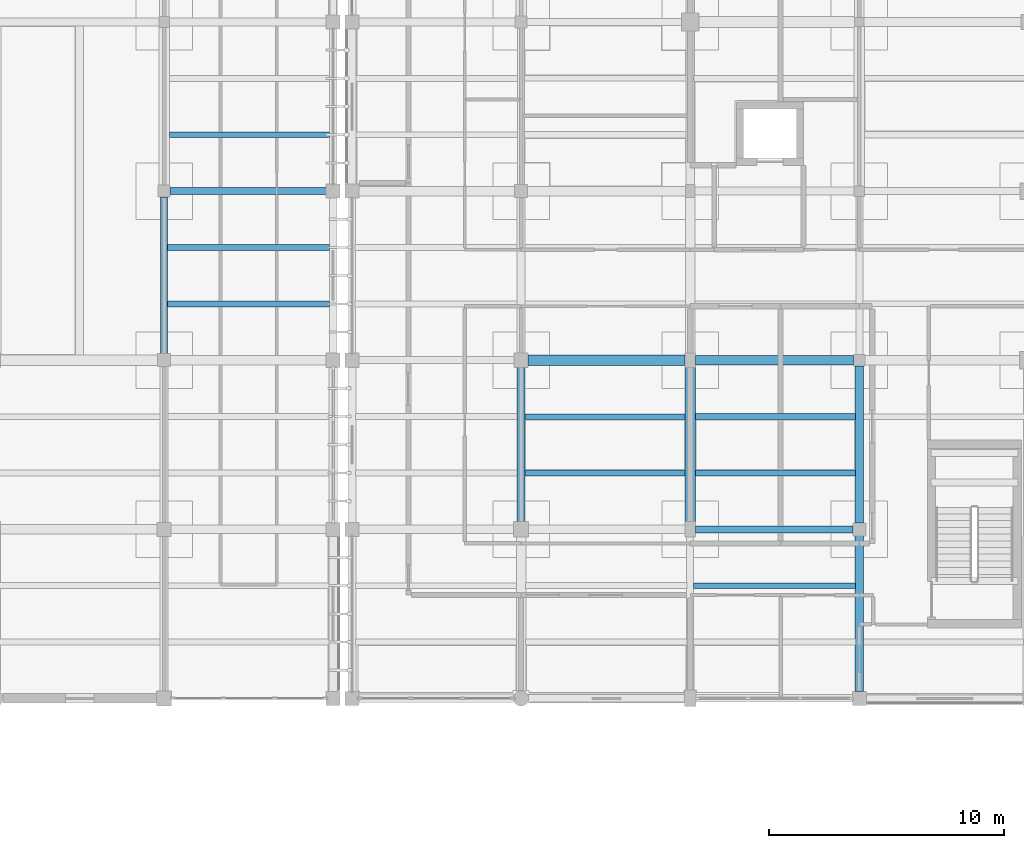
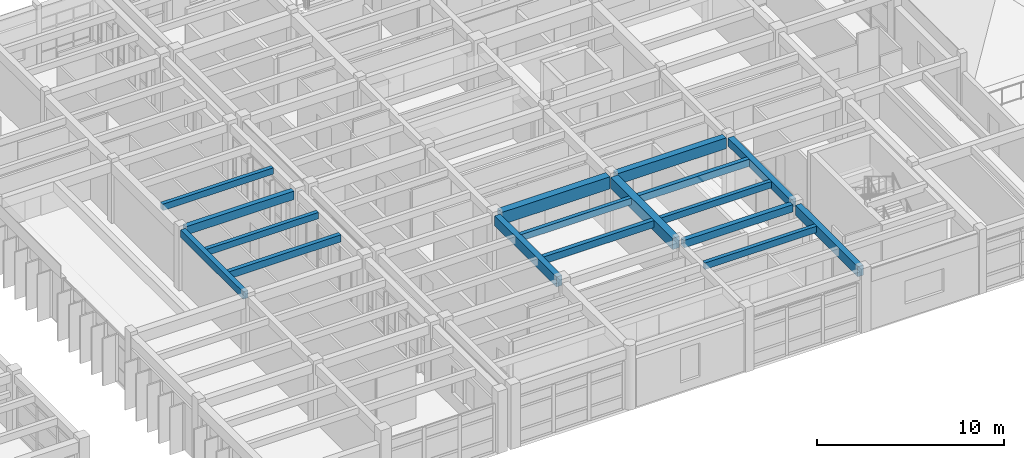
# One storey, part 31 of 100: 17 beams.
"""IFC4 building model written with IfcOpenShell, lengths in metres."""

import ifcopenshell
import ifcopenshell.guid

model = None  # the IFC model being written
_history = None  # IfcOwnerHistory: only IFC2X3 demands one
_inside = {}  # id of a spatial element -> (the spatial element, [elements in it])
_under = {}  # id of a project, library or spatial element -> (it, [spatial elements below it])
_declared = {}  # id of a project -> (the project, [libraries it declares])
_typed = {}  # id of a type object -> (the type object, [elements of that type])
_made_of = {}  # id of a material, layer set ... -> (it, [elements and type objects made of it])


def new_model(schema):
    """Start an empty IFC model of exactly this schema.

    Asked for "IFC4X3", IfcOpenShell would pick the latest addendum, in which some entities
    have other attributes; the version numbers below select the first issue.
    IFC2X3 requires an IfcOwnerHistory on every rooted entity: one is made here for all.
    """
    global model, _history
    if schema == "IFC4X3":
        model = ifcopenshell.file(schema_version=(4, 3, 0, 0))
    else:
        model = ifcopenshell.file(schema=schema)
    _inside.clear()
    _under.clear()
    _declared.clear()
    _typed.clear()
    _made_of.clear()
    _history = None
    if model.schema == "IFC2X3":
        org = make("IfcOrganization", Name="unknown")
        user = make(
            "IfcPersonAndOrganization",
            ThePerson=make("IfcPerson", FamilyName="unknown"),
            TheOrganization=org,
        )
        app = make(
            "IfcApplication",
            ApplicationDeveloper=org,
            Version="unknown",
            ApplicationFullName="unknown",
            ApplicationIdentifier="unknown",
        )
        _history = make(
            "IfcOwnerHistory",
            OwningUser=user,
            OwningApplication=app,
            ChangeAction="ADDED",
            CreationDate=0,
        )
    return model


def make(cls, **values):
    """One entity of the class cls with the attributes given. An attribute that is None is left unset."""
    return model.create_entity(
        cls, **{name: value for name, value in values.items() if value is not None}
    )


def rooted(cls, **values):
    """An entity with a GlobalId (a new one), such as an element, a storey or a relation."""
    return make(cls, GlobalId=ifcopenshell.guid.new(), OwnerHistory=_history, **values)


def si_unit(unit_type, name, prefix=None):
    """IfcSIUnit, for example si_unit("LENGTHUNIT", "METRE", prefix="MILLI")."""
    return make("IfcSIUnit", UnitType=unit_type, Prefix=prefix, Name=name)


def assignment(units):
    """IfcUnitAssignment: the units of a project."""
    return None if units is None else make("IfcUnitAssignment", Units=units)


def point(xyz):
    """IfcCartesianPoint."""
    return None if xyz is None else make("IfcCartesianPoint", Coordinates=xyz)


def direction(xyz):
    """IfcDirection."""
    return None if xyz is None else make("IfcDirection", DirectionRatios=xyz)


def frame(location, z_axis=None, x_axis=None):
    """IfcAxis2Placement3D, a coordinate frame: its origin and axes. An axis left out is left unset."""
    return make(
        "IfcAxis2Placement3D",
        Location=point(location),
        Axis=direction(z_axis),
        RefDirection=direction(x_axis),
    )


def frame_2d(location, x_axis=None):
    """IfcAxis2Placement2D, a coordinate frame in the plane: its origin and x axis."""
    return make(
        "IfcAxis2Placement2D", Location=point(location), RefDirection=direction(x_axis)
    )


def origin():
    """The frame at (0, 0, 0) with its axes left unset."""
    return frame((0.0, 0.0, 0.0))


def origin_2d():
    """The frame at (0, 0) in the plane with its x axis left unset."""
    return frame_2d((0.0, 0.0))


def place(relative_to, where):
    """IfcLocalPlacement: puts the frame where relative to a parent placement (None: the world)."""
    return make(
        "IfcLocalPlacement", PlacementRelTo=relative_to, RelativePlacement=where
    )


def context(
    kind, dimensions, precision=None, world=None, true_north=None, identifier=None
):
    """IfcGeometricRepresentationContext, for example the 3D "Model" context."""
    return make(
        "IfcGeometricRepresentationContext",
        ContextIdentifier=identifier,
        ContextType=kind,
        CoordinateSpaceDimension=dimensions,
        Precision=precision,
        WorldCoordinateSystem=world,
        TrueNorth=true_north,
    )


def subcontext(parent, identifier, kind, view, scale=None):
    """IfcGeometricRepresentationSubContext, for example "Body" below "Model"."""
    return make(
        "IfcGeometricRepresentationSubContext",
        ContextIdentifier=identifier,
        ContextType=kind,
        ParentContext=parent,
        TargetScale=scale,
        TargetView=view,
    )


def project(units=None, contexts=None):
    """IfcProject with its units and contexts."""
    return rooted(
        "IfcProject",
        Name="project",
        RepresentationContexts=contexts,
        UnitsInContext=assignment(units),
    )


def spatial(cls, under=None, at=None, **own):
    """A site, building, storey or space (cls), placed at a placement, below another one or the project."""
    s = rooted(cls, ObjectPlacement=at, **own)
    if under is not None:
        _under.setdefault(under.id(), (under, []))[1].append(s)
    return s


def profile(cls, at=None, kind="AREA", **sizes):
    """A parametric profile (cls). Its sizes go by their IFC names, for example OverallWidth=200.0."""
    return make(cls, ProfileType=kind, Position=at, **sizes)


def rectangle(**sizes):
    """IfcRectangleProfileDef."""
    return profile("IfcRectangleProfileDef", **sizes)


def extrude(swept, where, along, depth):
    """IfcExtrudedAreaSolid: the profile swept, set in the frame where, extruded along a direction by depth."""
    return make(
        "IfcExtrudedAreaSolid",
        SweptArea=swept,
        Position=where,
        ExtrudedDirection=direction(along),
        Depth=depth,
    )


def shape(context_of_items, identifier, shape_type, items):
    """IfcShapeRepresentation: the items that make up one representation, for example the "Body"."""
    return make(
        "IfcShapeRepresentation",
        ContextOfItems=context_of_items,
        RepresentationIdentifier=identifier,
        RepresentationType=shape_type,
        Items=items,
    )


def material(Name=None, Category=None):
    """IfcMaterial."""
    return make("IfcMaterial", Name=Name, Category=Category)


def material_profile(
    of_material, cross_section, Name=None, Category=None, Priority=None
):
    """IfcMaterialProfile: a cross section and its material."""
    return make(
        "IfcMaterialProfile",
        Name=Name,
        Material=of_material,
        Profile=cross_section,
        Priority=Priority,
        Category=Category,
    )


def profile_set(profiles, Name=None, composite=None):
    """IfcMaterialProfileSet."""
    return make(
        "IfcMaterialProfileSet",
        Name=Name,
        MaterialProfiles=profiles,
        CompositeProfile=composite,
    )


def made_of(thing, what):
    """Note that an element or type object is made of a material, layer set ...; save() writes the relation."""
    if what is not None:
        _made_of.setdefault(what.id(), (what, []))[1].append(thing)
    return thing


def type_object(cls, material=None, **own):
    """A type object (cls), such as IfcWallType, which elements share."""
    return made_of(rooted(cls, **own), material)


def element(
    cls,
    number,
    at=None,
    inside=None,
    cuts=None,
    type_object=None,
    material=None,
    context=None,
    identifier="Body",
    shape_type=None,
    held_by="IfcProductDefinitionShape",
    body=None,
    shapes=None,
    **own,
):
    """One element of the class cls, such as IfcWall. Its Tag is "e" and its number.

    at: its placement. inside: the storey or other place that contains it. cuts: it is an
    opening in that element (IfcRelVoidsElement). A single representation is given by context,
    identifier, shape_type and body (its items); several are given by shapes. held_by: the class
    of the entity that holds the representations. save() writes the other relations.
    """
    e = rooted(cls, Tag="e%d" % number, ObjectPlacement=at, **own)
    if body is not None:
        shapes = [shape(context, identifier, shape_type, body)]
    if shapes is not None:
        e.Representation = make(held_by, Representations=shapes)
    if inside is not None:
        _inside.setdefault(inside.id(), (inside, []))[1].append(e)
    if cuts is not None:
        rooted(
            "IfcRelVoidsElement", RelatingBuildingElement=cuts, RelatedOpeningElement=e
        )
    if type_object is not None:
        _typed.setdefault(type_object.id(), (type_object, []))[1].append(e)
    return made_of(e, material)


def aggregate(whole, parts):
    """IfcRelAggregates: a whole, such as a stair, and the parts it consists of."""
    return rooted("IfcRelAggregates", RelatingObject=whole, RelatedObjects=parts)


def save(model, path):
    """Write the relations noted so far, then the file.

    IfcRelAggregates (storeys below a building ...), IfcRelContainedInSpatialStructure (elements
    in a storey), IfcRelDefinesByType, IfcRelAssociatesMaterial and IfcRelDeclares: one each for
    every whole, place, type object, material and project.
    """
    for whole, parts in _under.values():
        aggregate(whole, parts)
    for where, things in _inside.values():
        rooted(
            "IfcRelContainedInSpatialStructure",
            RelatedElements=things,
            RelatingStructure=where,
        )
    for kind, things in _typed.values():
        rooted("IfcRelDefinesByType", RelatedObjects=things, RelatingType=kind)
    for what, things in _made_of.values():
        rooted("IfcRelAssociatesMaterial", RelatedObjects=things, RelatingMaterial=what)
    for by, libraries in _declared.values():
        rooted("IfcRelDeclares", RelatingContext=by, RelatedDefinitions=libraries)
    model.write(path)


model = new_model("IFC4")

# Units and contexts
model_context = context("Model", 3, precision=1e-05, world=origin(), true_north=direction((0.0, 1.0)))
body_context = subcontext(model_context, "Body", "Model", "MODEL_VIEW")
ifc_project = project(units=[si_unit("LENGTHUNIT", "METRE"), si_unit("AREAUNIT", "SQUARE_METRE"), si_unit("VOLUMEUNIT", "CUBIC_METRE"), si_unit("PLANEANGLEUNIT", "RADIAN"), si_unit("MASSUNIT", "GRAM", prefix="KILO")], contexts=[model_context])

# Site, building, storey
site_placement = place(None, origin())
site = spatial("IfcSite", under=ifc_project, at=site_placement, CompositionType="ELEMENT")
building_placement = place(site_placement, origin())
building = spatial("IfcBuilding", under=site, at=building_placement, Name="Steenspoor Specialist Clinic", CompositionType="ELEMENT")
storey_placement = place(building_placement, frame((0.0, 0.0, 9.0)))
storey = spatial("IfcBuildingStorey", under=building, at=storey_placement, Name="L02", CompositionType="ELEMENT", Elevation=9.0)

# Beams
ifc_material = material(Name="Concrete C35/45", Category="concrete")
ifc_material_profile_1 = material_profile(ifc_material, rectangle(XDim=0.300048828125, YDim=0.47998046875, at=origin_2d()), Name="RC-BM-300X480")
ifc_profile_set_1 = profile_set([ifc_material_profile_1], Name="Concrete C35/45")
beam_type_1 = type_object("IfcBeamType", Name="BM-RC-300X480", PredefinedType="BEAM", material=ifc_profile_set_1)
beam_1_placement = place(storey_placement, frame((110.0, 79.820068359375, 3.7099609375), z_axis=(0.0, 1.0, 0.0), x_axis=(-1.0, 0.0, 0.0)))
element("IfcBeam", 1, at=beam_1_placement, inside=storey, type_object=beam_type_1, Name="BM-V4-L02-Y0727", PredefinedType="BEAM", context=body_context, shape_type="SweptSolid", body=[
    extrude(rectangle(XDim=0.300048828125, YDim=0.47998046875, at=origin_2d()), origin(), (0.0, 0.0, 1.0), 6.684814453125),
])
beam_2_placement = place(storey_placement, frame((132.6201171875, 72.35009765625, 3.7099609375), z_axis=(1.0, 0.0, 0.0), x_axis=(0.0, 1.0, 0.0)))
element("IfcBeam", 2, at=beam_2_placement, inside=storey, type_object=beam_type_1, Name="BM-V6-L02-X1607", PredefinedType="BEAM", context=body_context, shape_type="SweptSolid", body=[
    extrude(rectangle(XDim=0.300048828125, YDim=0.47998046875, at=origin_2d()), origin(), (0.0, 0.0, 1.0), 6.7099609375),
])
ifc_material_profile_2 = material_profile(ifc_material, rectangle(XDim=0.300048828125, YDim=0.550048828125, at=origin_2d()), Name="RC-BM-300X550")
ifc_profile_set_2 = profile_set([ifc_material_profile_2], Name="Concrete C35/45")
beam_type_2 = type_object("IfcBeamType", Name="BM-RC-300X550", PredefinedType="BEAM", material=ifc_profile_set_2)
beam_3_placement = place(storey_placement, frame((110.2451171875, 86.75, 3.675048828125), z_axis=(1.0, 0.0, 0.0), x_axis=(0.0, 1.0, 0.0)))
element("IfcBeam", 3, at=beam_3_placement, inside=storey, type_object=beam_type_2, Name="BM-V4-L02-X0660", PredefinedType="BEAM", context=body_context, shape_type="SweptSolid", body=[
    extrude(rectangle(XDim=0.300048828125, YDim=0.550048828125, at=origin_2d()), origin(), (0.0, 0.0, 1.0), 6.659912109375),
])
ifc_material_profile_3 = material_profile(ifc_material, rectangle(XDim=0.35009765625, YDim=0.52001953125, at=origin_2d()), Name="RC-BM-350X520")
ifc_profile_set_3 = profile_set([ifc_material_profile_3], Name="Concrete C35/45")
beam_type_3 = type_object("IfcBeamType", Name="BM-RC-350X520", PredefinedType="BEAM", material=ifc_profile_set_3)
beam_4_placement = place(storey_placement, frame((139.60009765625, 72.6201171875, 3.68994140625), z_axis=(0.0, 1.0, 0.0), x_axis=(-1.0, 0.0, 0.0)))
element("IfcBeam", 4, at=beam_4_placement, inside=storey, type_object=beam_type_3, Name="BM-V6-L02-Y1646", PredefinedType="BEAM", context=body_context, shape_type="SweptSolid", body=[
    extrude(rectangle(XDim=0.35009765625, YDim=0.52001953125, at=origin_2d()), origin(), (0.0, 0.0, 1.0), 6.684814453125),
])
ifc_material_profile_4 = material_profile(ifc_material, rectangle(XDim=0.35009765625, YDim=0.64990234375, at=origin_2d()), Name="RC-BM-350X650")
ifc_profile_set_4 = profile_set([ifc_material_profile_4], Name="Concrete C35/45")
beam_type_4 = type_object("IfcBeamType", Name="BM-RC-350X650", PredefinedType="BEAM", material=ifc_profile_set_4)
beam_5_placement = place(storey_placement, frame((125.199951171875, 72.669921875, 3.625), z_axis=(0.0, 1.0, 0.0), x_axis=(-1.0, 0.0, 0.0)))
element("IfcBeam", 5, at=beam_5_placement, inside=storey, type_object=beam_type_4, Name="BM-V6-L02-Y1634", PredefinedType="BEAM", context=body_context, shape_type="SweptSolid", body=[
    extrude(rectangle(XDim=0.35009765625, YDim=0.64990234375, at=origin_2d()), origin(), (0.0, 0.0, 1.0), 6.5849609375),
])
beam_6_placement = place(storey_placement, frame((139.60009765625, 65.445068359375, 3.625), z_axis=(0.0, 1.0, 0.0), x_axis=(-1.0, 0.0, 0.0)))
element("IfcBeam", 6, at=beam_6_placement, inside=storey, type_object=beam_type_4, Name="BM-V6-L02-Y1645", PredefinedType="BEAM", context=body_context, shape_type="SweptSolid", body=[
    extrude(rectangle(XDim=0.35009765625, YDim=0.64990234375, at=origin_2d()), origin(), (0.0, 0.0, 1.0), 6.635009765625),
])
ifc_material_profile_5 = material_profile(ifc_material, rectangle(XDim=0.39990234375, YDim=0.699951171875, at=origin_2d()), Name="RC-BM-400X700")
ifc_profile_set_5 = profile_set([ifc_material_profile_5], Name="Concrete C35/45")
beam_type_5 = type_object("IfcBeamType", Name="BM-RC-400X700", PredefinedType="BEAM", material=ifc_profile_set_5)
beam_7_placement = place(storey_placement, frame((132.6201171875, 79.550048828125, 3.60009765625), z_axis=(1.0, 0.0, 0.0), x_axis=(0.0, 1.0, 0.0)))
element("IfcBeam", 7, at=beam_7_placement, inside=storey, type_object=beam_type_5, Name="BM-V6-L02-X1610", PredefinedType="BEAM", context=body_context, shape_type="SweptSolid", body=[
    extrude(rectangle(XDim=0.39990234375, YDim=0.699951171875, at=origin_2d()), origin(), (0.0, 0.0, 1.0), 6.73486328125),
])
ifc_material_profile_6 = material_profile(ifc_material, rectangle(XDim=0.449951171875, YDim=0.719970703125, at=origin_2d()), Name="RC-BM-450X720")
ifc_profile_set_6 = profile_set([ifc_material_profile_6], Name="Concrete C35/45")
beam_type_6 = type_object("IfcBeamType", Name="BM-RC-450X720", PredefinedType="BEAM", material=ifc_profile_set_6)
beam_8_placement = place(storey_placement, frame((132.39990234375, 72.669921875, 3.590087890625), z_axis=(0.0, 1.0, 0.0), x_axis=(-1.0, 0.0, 0.0)))
element("IfcBeam", 8, at=beam_8_placement, inside=storey, type_object=beam_type_6, Name="BM-V6-L02-Y1640", PredefinedType="BEAM", context=body_context, shape_type="SweptSolid", body=[
    extrude(rectangle(XDim=0.449951171875, YDim=0.719970703125, at=origin_2d()), origin(), (0.0, 0.0, 1.0), 6.5849609375),
])
ifc_material_profile_7 = material_profile(ifc_material, rectangle(XDim=0.449951171875, YDim=0.800048828125, at=origin_2d()), Name="RC-BM-450X800")
ifc_profile_set_7 = profile_set([ifc_material_profile_7], Name="Concrete C35/45")
beam_type_7 = type_object("IfcBeamType", Name="BM-RC-450X800", PredefinedType="BEAM", material=ifc_profile_set_7)
beam_9_placement = place(storey_placement, frame((125.4951171875, 79.550048828125, 3.550048828125), z_axis=(1.0, 0.0, 0.0), x_axis=(0.0, 1.0, 0.0)))
element("IfcBeam", 9, at=beam_9_placement, inside=storey, type_object=beam_type_7, Name="BM-V6-L02-X1609", PredefinedType="BEAM", context=body_context, shape_type="SweptSolid", body=[
    extrude(rectangle(XDim=0.449951171875, YDim=0.800048828125, at=origin_2d()), origin(), (0.0, 0.0, 1.0), 6.684814453125),
])
ifc_material_profile_8 = material_profile(ifc_material, rectangle(XDim=0.239990234375, YDim=0.419921875, at=origin_2d()), Name="RC-JT-240X420")
ifc_profile_set_8 = profile_set([ifc_material_profile_8], Name="Concrete C35/45")
beam_type_8 = type_object("IfcBeamType", Name="JT-RC-240X420", PredefinedType="JOIST", material=ifc_profile_set_8)
beam_10_placement = place(storey_placement, frame((110.14501953125, 84.35009765625, 3.739990234375), z_axis=(1.0, 0.0, 0.0), x_axis=(0.0, 1.0, 0.0)))
element("IfcBeam", 10, at=beam_10_placement, inside=storey, type_object=beam_type_8, Name="JT-V4-L02-0802", PredefinedType="JOIST", context=body_context, shape_type="SweptSolid", body=[
    extrude(rectangle(XDim=0.239990234375, YDim=0.419921875, at=origin_2d()), origin(), (0.0, 0.0, 1.0), 6.89990234375),
])
beam_11_placement = place(storey_placement, frame((110.219970703125, 89.14990234375, 3.739990234375), z_axis=(1.0, 0.0, 0.0), x_axis=(0.0, 1.0, 0.0)))
element("IfcBeam", 11, at=beam_11_placement, inside=storey, type_object=beam_type_8, Name="JT-V4-L02-0803", PredefinedType="JOIST", context=body_context, shape_type="SweptSolid", body=[
    extrude(rectangle(XDim=0.239990234375, YDim=0.419921875, at=origin_2d()), origin(), (0.0, 0.0, 1.0), 6.824951171875),
])
beam_12_placement = place(storey_placement, frame((125.3701171875, 77.14990234375, 3.739990234375), z_axis=(1.0, 0.0, 0.0), x_axis=(0.0, 1.0, 0.0)))
element("IfcBeam", 12, at=beam_12_placement, inside=storey, type_object=beam_type_8, Name="JT-V6-L02-1672", PredefinedType="JOIST", context=body_context, shape_type="SweptSolid", body=[
    extrude(rectangle(XDim=0.239990234375, YDim=0.419921875, at=origin_2d()), origin(), (0.0, 0.0, 1.0), 6.809814453125),
])
beam_13_placement = place(storey_placement, frame((132.544921875, 69.949951171875, 3.739990234375), z_axis=(1.0, 0.0, 0.0), x_axis=(0.0, 1.0, 0.0)))
element("IfcBeam", 13, at=beam_13_placement, inside=storey, type_object=beam_type_8, Name="JT-V6-L02-1680", PredefinedType="JOIST", context=body_context, shape_type="SweptSolid", body=[
    extrude(rectangle(XDim=0.239990234375, YDim=0.419921875, at=origin_2d()), origin(), (0.0, 0.0, 1.0), 6.885009765625),
])
beam_14_placement = place(storey_placement, frame((132.6201171875, 74.75, 3.739990234375), z_axis=(1.0, 0.0, 0.0), x_axis=(0.0, 1.0, 0.0)))
element("IfcBeam", 14, at=beam_14_placement, inside=storey, type_object=beam_type_8, Name="JT-V6-L02-1681", PredefinedType="JOIST", context=body_context, shape_type="SweptSolid", body=[
    extrude(rectangle(XDim=0.239990234375, YDim=0.419921875, at=origin_2d()), origin(), (0.0, 0.0, 1.0), 6.809814453125),
])
ifc_material_profile_9 = material_profile(ifc_material, rectangle(XDim=0.260009765625, YDim=0.4599609375, at=origin_2d()), Name="RC-JT-260X460")
ifc_profile_set_9 = profile_set([ifc_material_profile_9], Name="Concrete C35/45")
beam_type_9 = type_object("IfcBeamType", Name="JT-RC-260X460", PredefinedType="JOIST", material=ifc_profile_set_9)
beam_15_placement = place(storey_placement, frame((110.14501953125, 81.949951171875, 3.719970703125), z_axis=(1.0, 0.0, 0.0), x_axis=(0.0, 1.0, 0.0)))
element("IfcBeam", 15, at=beam_15_placement, inside=storey, type_object=beam_type_9, Name="JT-V4-L02-0801", PredefinedType="JOIST", context=body_context, shape_type="SweptSolid", body=[
    extrude(rectangle(XDim=0.260009765625, YDim=0.4599609375, at=origin_2d()), origin(), (0.0, 0.0, 1.0), 6.89990234375),
])
for number, where, z_axis, x_axis, name in (
    (16, (125.3701171875, 74.75, 3.719970703125), (1.0, 0.0, 0.0), (0.0, 1.0, 0.0), "JT-V6-L02-1671"),
    (17, (132.6201171875, 77.14990234375, 3.719970703125), (1.0, 0.0, 0.0), (0.0, 1.0, 0.0), "JT-V6-L02-1682"),
):
    element("IfcBeam", number, at=place(storey_placement, frame(where, z_axis=z_axis, x_axis=x_axis)), inside=storey, type_object=beam_type_9, Name=name, PredefinedType="JOIST", context=body_context, shape_type="SweptSolid", body=[
        extrude(rectangle(XDim=0.260009765625, YDim=0.4599609375, at=origin_2d()), origin(), (0.0, 0.0, 1.0), 6.809814453125),
    ])

save(model, "model.ifc")
